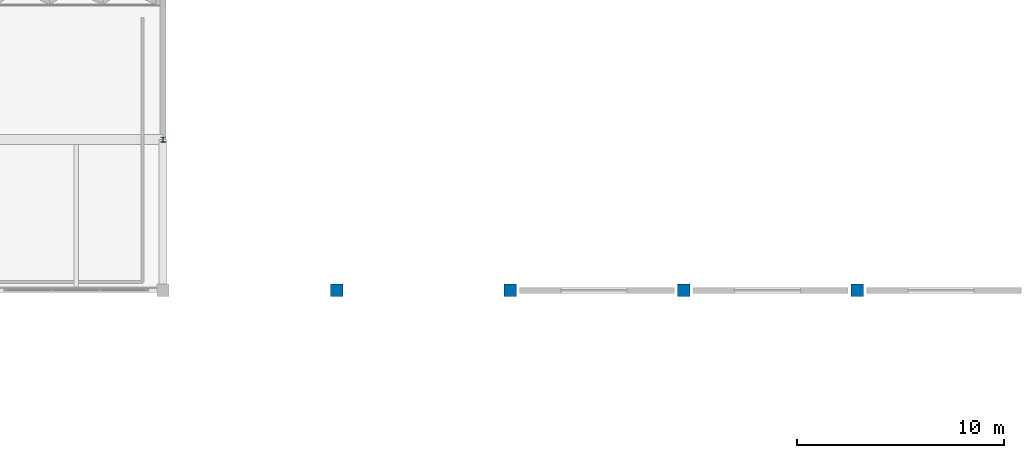
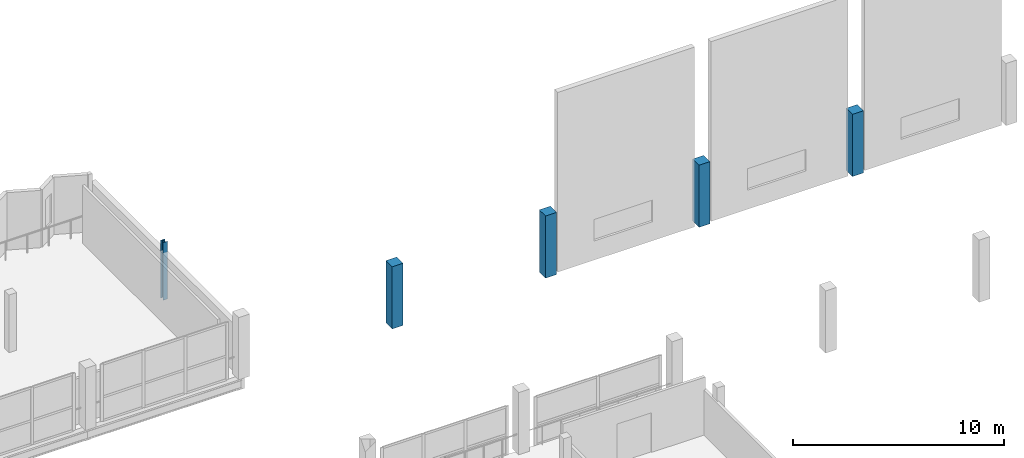
# One storey, part 3 of 51: 5 columns.
"""IFC4 building model written with IfcOpenShell, lengths in metres."""

from ifc_helpers import new_model, si_unit, direction, frame, origin, origin_2d, place, context, subcontext, project, spatial, rectangle, i_section, extrude, material, material_profile, profile_set, type_object, element, save


model = new_model("IFC4")

# Units and contexts
model_context = context("Model", 3, precision=1e-05, world=origin(), true_north=direction((0.0, 1.0)))
body_context = subcontext(model_context, "Body", "Model", "MODEL_VIEW")
ifc_project = project(units=[si_unit("LENGTHUNIT", "METRE"), si_unit("AREAUNIT", "SQUARE_METRE"), si_unit("VOLUMEUNIT", "CUBIC_METRE"), si_unit("PLANEANGLEUNIT", "RADIAN"), si_unit("MASSUNIT", "GRAM", prefix="KILO")], contexts=[model_context])

# Site, building, storey
site_placement = place(None, origin())
site = spatial("IfcSite", under=ifc_project, at=site_placement, CompositionType="ELEMENT")
building_placement = place(site_placement, origin())
building = spatial("IfcBuilding", under=site, at=building_placement, Name="Vharandega Faculty of Natural Sciences", CompositionType="ELEMENT")
storey_placement = place(building_placement, frame((0.0, 0.0, 14.39990234375)))
storey = spatial("IfcBuildingStorey", under=building, at=storey_placement, Name="L03", CompositionType="ELEMENT", Elevation=14.39990234375)

# Columns
ifc_material_1 = material(Name="Concrete C40/50", Category="concrete")
ifc_material_profile_1 = material_profile(ifc_material_1, rectangle(XDim=0.60009765625, YDim=0.60009765625, at=origin_2d()), Name="RC 600x600")
ifc_profile_set_1 = profile_set([ifc_material_profile_1], Name="Concrete C40/50")
column_type_1 = type_object("IfcColumnType", Name="RC Column 600x600", PredefinedType="COLUMN", material=ifc_profile_set_1)
for number, where, z_axis, x_axis, name in (
    (1, (81.199951171875, 97.0, 0.0), (0.0, 0.0, 1.0), (1.0, 0.0, 0.0), "Column 11/N L03"),
    (2, (89.60009765625, 97.0, 0.0), (0.0, 0.0, 1.0), (1.0, 0.0, 0.0), "Column 12/N L03"),
    (3, (98.0, 97.0, 0.0), (0.0, 0.0, 1.0), (1.0, 0.0, 0.0), "Column 13/N L03"),
    (4, (106.39990234375, 97.0, 0.0), (0.0, 0.0, 1.0), (1.0, 0.0, 0.0), "Column 14/N L03"),
):
    element("IfcColumn", number, at=place(storey_placement, frame(where, z_axis=z_axis, x_axis=x_axis)), inside=storey, type_object=column_type_1, Name=name, PredefinedType="COLUMN", context=body_context, shape_type="SweptSolid", body=[
        extrude(rectangle(XDim=0.60009765625, YDim=0.60009765625, at=origin_2d()), origin(), (0.0, 0.0, 1.0), 3.60009765625),
    ])
ifc_material_2 = material(Name="Steel S355", Category="steel")
ifc_material_profile_2 = material_profile(ifc_material_2, i_section(OverallWidth=0.239990234375, OverallDepth=0.239990234375, WebThickness=0.010009765625, FlangeThickness=0.01708984375, FilletRadius=0.02099609375, at=origin_2d()), Name="HEB 240")
ifc_profile_set_2 = profile_set([ifc_material_profile_2], Name="Steel S355")
column_type_2 = type_object("IfcColumnType", Name="Steel Column HEB 240", PredefinedType="COLUMN", material=ifc_profile_set_2)
column_placement = place(storey_placement, frame((72.800048828125, 104.300048828125, 0.0), z_axis=(0.0, 0.0, 1.0), x_axis=(1.0, 0.0, 0.0)))
element("IfcColumn", 5, at=column_placement, inside=storey, type_object=column_type_2, Name="Column 10/P L03", PredefinedType="COLUMN", context=body_context, shape_type="SweptSolid", body=[
    extrude(i_section(OverallWidth=0.239990234375, OverallDepth=0.239990234375, WebThickness=0.010009765625, FlangeThickness=0.01708984375, FilletRadius=0.02099609375, at=origin_2d()), origin(), (0.0, 0.0, 1.0), 3.340087890625),
])

save(model, "model.ifc")
